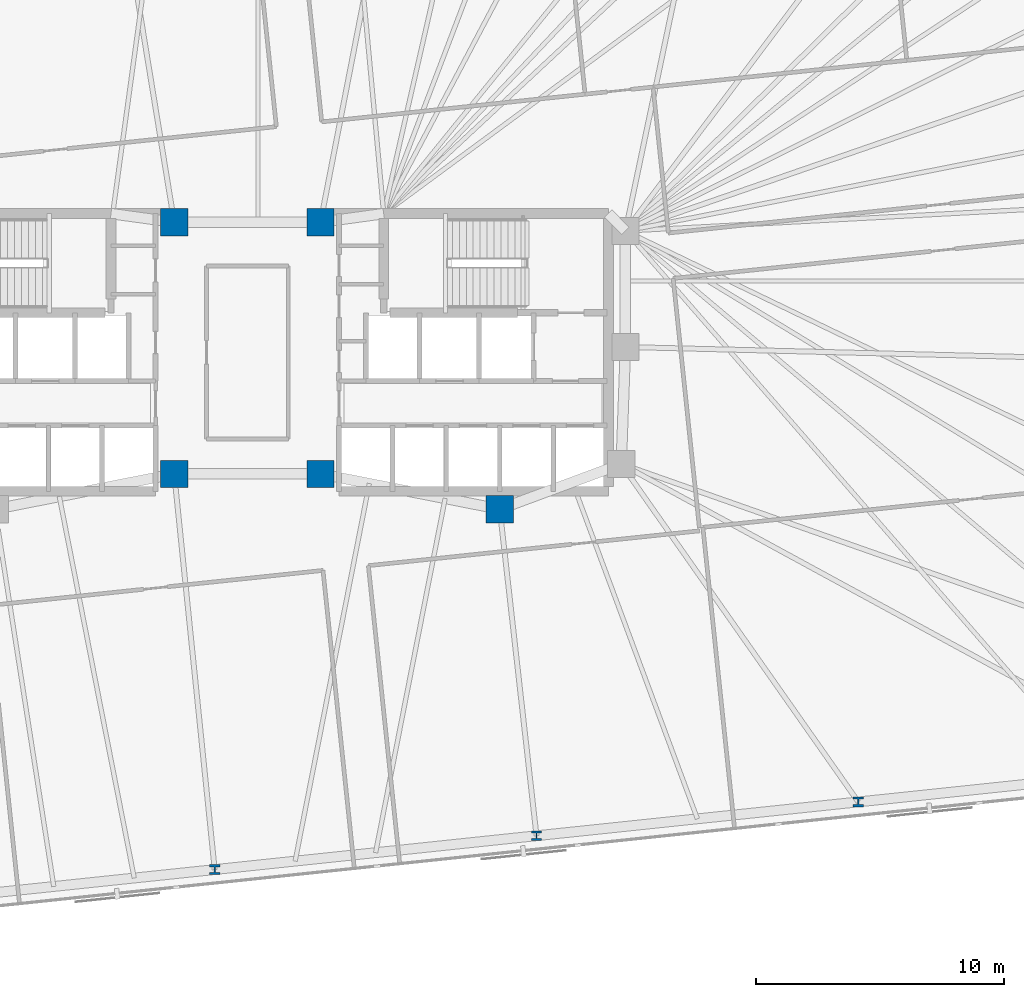
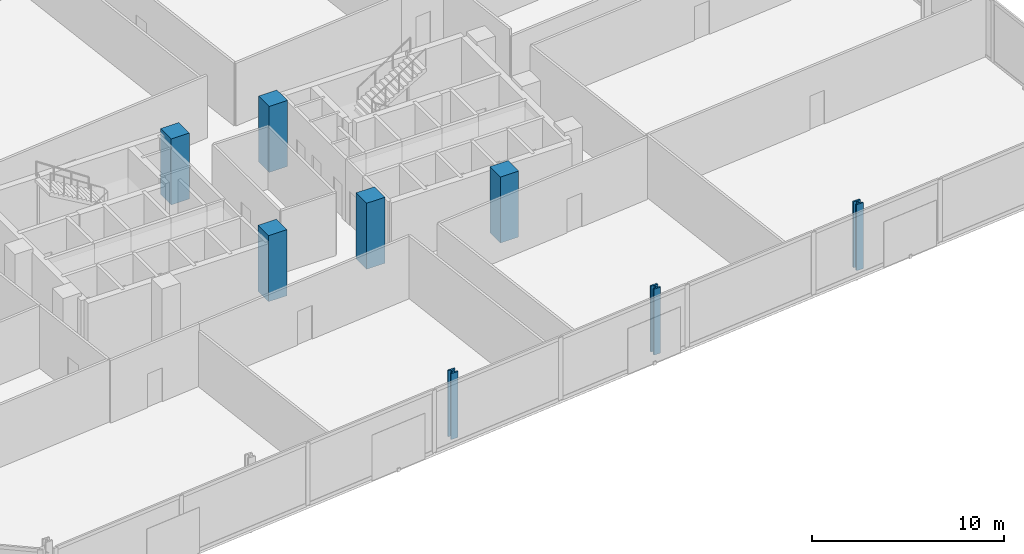
# One storey, part 3 of 16: 8 columns.
"""IFC4 building model written with IfcOpenShell, lengths in metres."""

from ifc_helpers import new_model, si_unit, direction, frame, origin, origin_2d, place, context, subcontext, project, spatial, rectangle, i_section, extrude, material, material_profile, profile_set, type_object, element, save


model = new_model("IFC4")

# Units and contexts
model_context = context("Model", 3, precision=1e-05, world=origin(), true_north=direction((0.0, 1.0)))
body_context = subcontext(model_context, "Body", "Model", "MODEL_VIEW")
ifc_project = project(units=[si_unit("LENGTHUNIT", "METRE"), si_unit("AREAUNIT", "SQUARE_METRE"), si_unit("VOLUMEUNIT", "CUBIC_METRE"), si_unit("PLANEANGLEUNIT", "RADIAN"), si_unit("MASSUNIT", "GRAM", prefix="KILO")], contexts=[model_context])

# Site, building, storey
site_placement = place(None, origin())
site = spatial("IfcSite", under=ifc_project, at=site_placement, CompositionType="ELEMENT")
building_placement = place(site_placement, origin())
building = spatial("IfcBuilding", under=site, at=building_placement, Name="Menara Jurai Vektor", CompositionType="ELEMENT")
storey_placement = place(building_placement, frame((0.0, 0.0, 83.199951171875)))
storey = spatial("IfcBuildingStorey", under=building, at=storey_placement, Name="L20", CompositionType="ELEMENT", Elevation=83.199951171875)

# Columns
ifc_material_1 = material(Name="Concrete C50/60", Category="concrete")
ifc_material_profile_1 = material_profile(ifc_material_1, rectangle(XDim=1.10009765625, YDim=1.10009765625, at=origin_2d()), Name="RC 1100x1100")
ifc_profile_set_1 = profile_set([ifc_material_profile_1], Name="Concrete C50/60")
column_type_1 = type_object("IfcColumnType", Name="STR-COL-RC1100", PredefinedType="COLUMN", material=ifc_profile_set_1)
for number, where, z_axis, x_axis, name in (
    (1, (-2.949951171875, -4.89990234375, 0.0), (0.0, 0.0, 1.0), (1.0, 0.0, 0.0), "Core Spine Column CW-SE L20"),
    (2, (-2.949951171875, 5.25, 0.0), (0.0, 0.0, 1.0), (1.0, 0.0, 0.0), "Core Spine Column CW-NE L20"),
    (3, (10.179931640625, -6.320068359375, 0.0), (0.0, 0.0, 1.0), (1.0, 0.0, 0.0), "Core Spine Column CE-SM L20"),
    (4, (2.949951171875, -4.89990234375, 0.0), (0.0, 0.0, 1.0), (1.0, 0.0, 0.0), "Core Spine Column CE-SW L20"),
    (5, (2.949951171875, 5.25, 0.0), (0.0, 0.0, 1.0), (1.0, 0.0, 0.0), "Core Spine Column CE-NW L20"),
):
    element("IfcColumn", number, at=place(storey_placement, frame(where, z_axis=z_axis, x_axis=x_axis)), inside=storey, type_object=column_type_1, Name=name, PredefinedType="COLUMN", context=body_context, shape_type="SweptSolid", body=[
        extrude(rectangle(XDim=1.10009765625, YDim=1.10009765625, at=origin_2d()), origin(), (0.0, 0.0, 1.0), 4.199951171875),
    ])
ifc_material_2 = material(Name="Steel S460", Category="steel")
ifc_material_profile_2 = material_profile(ifc_material_2, i_section(OverallWidth=0.4130859375, OverallDepth=0.39794921875, WebThickness=0.055908203125, FlangeThickness=0.089111328125, FilletRadius=0.014892578125, at=origin_2d()), Name="HD 400x744")
ifc_profile_set_2 = profile_set([ifc_material_profile_2], Name="Steel S460")
column_type_2 = type_object("IfcColumnType", Name="STR-EXO-BLK2", PredefinedType="COLUMN", material=ifc_profile_set_2)
for number, where, z_axis, x_axis, name in (
    (6, (-1.317138671875, -20.857666015625, 0.0), (0.0, 0.0, 1.0), (1.0, 0.0, 0.0), "Exoskeleton Column BLK2-S3 L20"),
    (7, (11.66259765625, -19.49365234375, 0.0), (0.0, 0.0, 1.0), (1.0, 0.0, 0.0), "Exoskeleton Column BLK2-S4 L20"),
    (8, (24.642333984375, -18.12939453125, 0.0), (0.0, 0.0, 1.0), (1.0, 0.0, 0.0), "Exoskeleton Column BLK2-S5 L20"),
):
    element("IfcColumn", number, at=place(storey_placement, frame(where, z_axis=z_axis, x_axis=x_axis)), inside=storey, type_object=column_type_2, Name=name, PredefinedType="COLUMN", context=body_context, shape_type="SweptSolid", body=[
        extrude(i_section(OverallWidth=0.4130859375, OverallDepth=0.39794921875, WebThickness=0.055908203125, FlangeThickness=0.089111328125, FilletRadius=0.014892578125, at=origin_2d()), origin(), (0.0, 0.0, 1.0), 4.199951171875),
    ])

save(model, "model.ifc")
